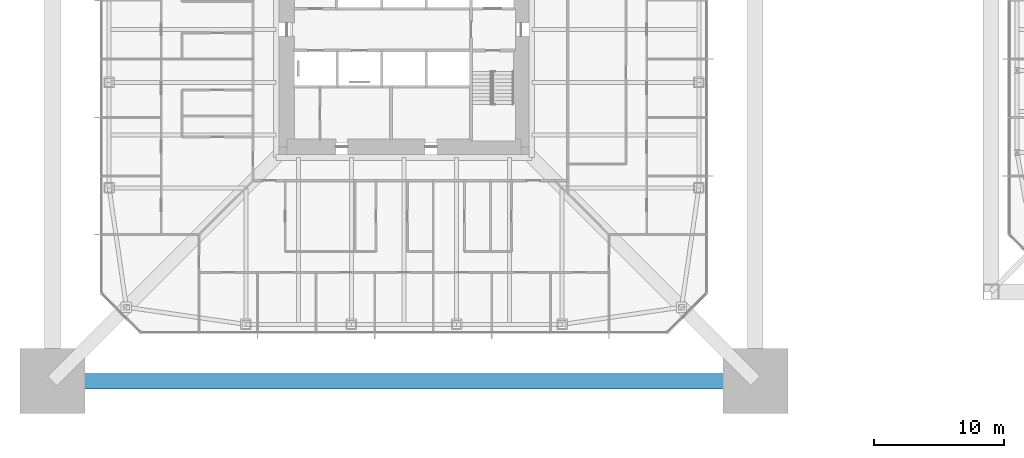
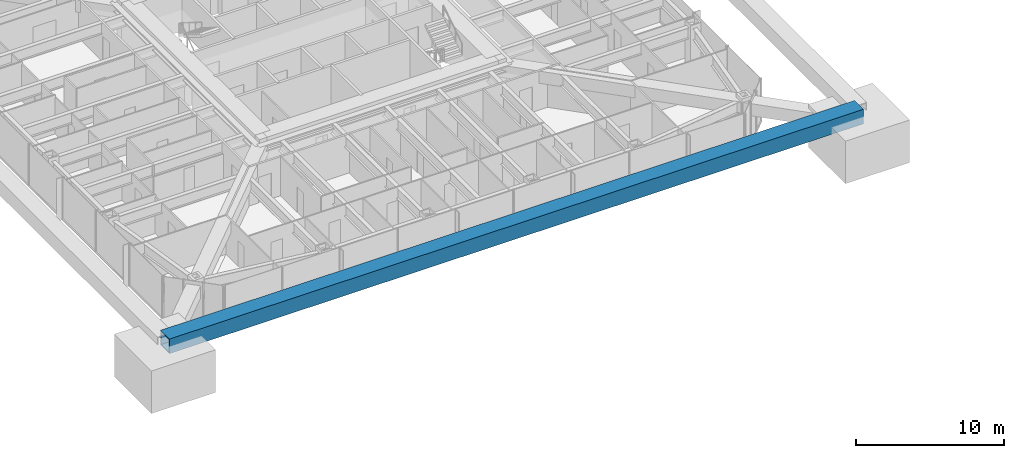
# One storey, part 3 of 32: 1 member.
"""IFC4 building model written with IfcOpenShell, lengths in metres."""

from ifc_helpers import new_model, si_unit, direction, frame, origin, origin_2d, place, context, subcontext, project, spatial, hollow_rectangle, extrude, material, material_profile, profile_set, type_object, element, save


model = new_model("IFC4")

# Units and contexts
model_context = context("Model", 3, precision=1e-05, world=origin(), true_north=direction((0.0, 1.0)))
body_context = subcontext(model_context, "Body", "Model", "MODEL_VIEW")
ifc_project = project(units=[si_unit("LENGTHUNIT", "METRE"), si_unit("AREAUNIT", "SQUARE_METRE"), si_unit("VOLUMEUNIT", "CUBIC_METRE"), si_unit("PLANEANGLEUNIT", "RADIAN"), si_unit("MASSUNIT", "GRAM", prefix="KILO")], contexts=[model_context])

# Site, building, storey
site_placement = place(None, origin())
site = spatial("IfcSite", under=ifc_project, at=site_placement, CompositionType="ELEMENT")
building_placement = place(site_placement, origin())
building = spatial("IfcBuilding", under=site, at=building_placement, Name="Iwan Alto Co-Living Towers", CompositionType="ELEMENT")
storey_placement = place(building_placement, frame((0.0, 0.0, 71.0)))
storey = spatial("IfcBuildingStorey", under=building, at=storey_placement, Name="L19", CompositionType="ELEMENT", Elevation=71.0)

# Member
ifc_material = material(Name="Steel ASTM A572 Gr 50", Category="steel")
ifc_material_profile = material_profile(ifc_material, hollow_rectangle(XDim=1.199951171875, YDim=1.199951171875, WallThickness=0.070068359375, at=origin_2d()), Name="BOX 1200X1200X70")
ifc_profile_set = profile_set([ifc_material_profile], Name="Steel ASTM A572 Gr 50")
member_type = type_object("IfcMemberType", Name="T1 MEGA BELT TIE BOX 1200X1200X70", PredefinedType="STRUT", material=ifc_profile_set)
member_placement = place(storey_placement, frame((-27.0, -27.0, 3.5), z_axis=(1.0, 0.0, 0.0), x_axis=(0.0, 1.0, 0.0)))
element("IfcMember", 1, at=member_placement, inside=storey, type_object=member_type, Name="T1 mega belt tie S L20", PredefinedType="STRUT", context=body_context, shape_type="SweptSolid", body=[
    extrude(hollow_rectangle(XDim=1.199951171875, YDim=1.199951171875, WallThickness=0.070068359375, at=origin_2d()), origin(), (0.0, 0.0, 1.0), 54.0),
])

save(model, "model.ifc")
